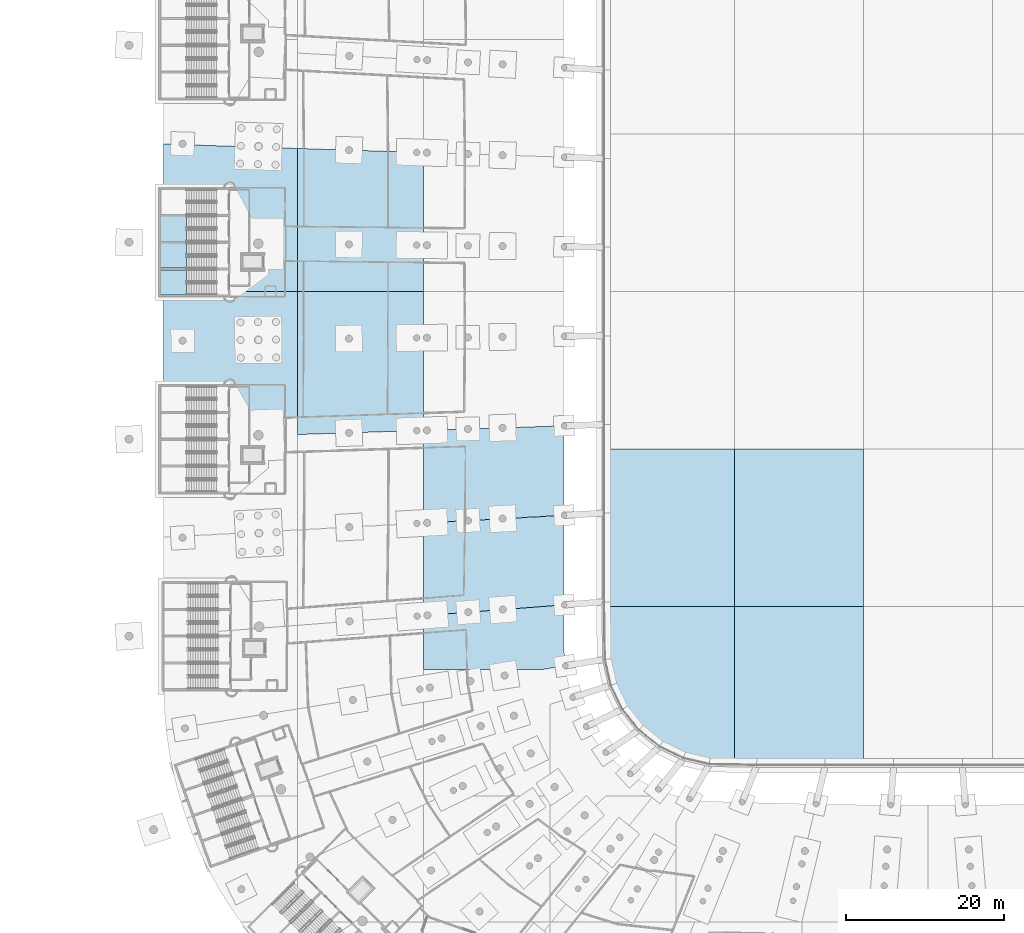
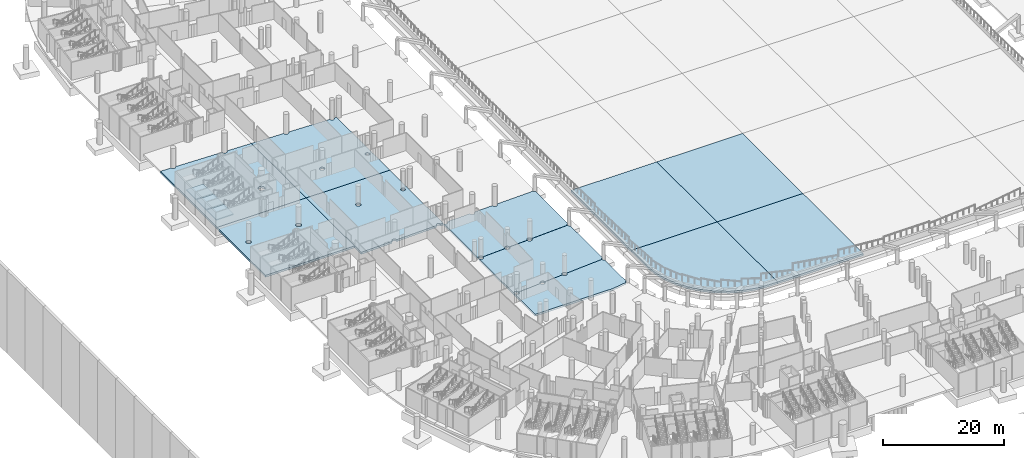
# One storey, part 18 of 142: 14 slabs, 3 elements without a shape of their own.
"""IFC4 building model written with IfcOpenShell, lengths in metres."""

from ifc_helpers import new_model, si_unit, direction, frame, origin, place, context, subcontext, project, spatial, polyline, outline, extrude, material, layer, layer_set, type_object, element, aggregate, save


model = new_model("IFC4")

# Units and contexts
model_context = context("Model", 3, precision=1e-05, world=origin(), true_north=direction((0.0, 1.0)))
body_context = subcontext(model_context, "Body", "Model", "MODEL_VIEW")
ifc_project = project(units=[si_unit("LENGTHUNIT", "METRE"), si_unit("AREAUNIT", "SQUARE_METRE"), si_unit("VOLUMEUNIT", "CUBIC_METRE"), si_unit("PLANEANGLEUNIT", "RADIAN"), si_unit("MASSUNIT", "GRAM", prefix="KILO")], contexts=[model_context])

# Site, building, storey
site_placement = place(None, origin())
site = spatial("IfcSite", under=ifc_project, at=site_placement, CompositionType="ELEMENT")
building_placement = place(site_placement, origin())
building = spatial("IfcBuilding", under=site, at=building_placement, Name="Meseta Stadium", CompositionType="ELEMENT")
storey_placement = place(building_placement, frame((0.0, 0.0, -4.0)))
storey = spatial("IfcBuildingStorey", under=building, at=storey_placement, Name="B1", CompositionType="ELEMENT", Elevation=-4.0)

# Slabs
ifc_material_1 = material(Name="Concrete C30/37", Category="concrete")
ifc_layer_1 = layer(ifc_material_1, 0.39990234375)
ifc_layer_set_1 = layer_set([ifc_layer_1], Name="Base slab 400")
slab_type_1 = type_object("IfcSlabType", Name="Base slab 400", PredefinedType="BASESLAB", material=ifc_layer_set_1)
slab_1_placement = place(storey_placement, frame((0.0, 0.0, -0.39990234375)))
element("IfcSlab", 1, at=slab_1_placement, inside=storey, type_object=slab_type_1, Name="Base slab B1 sector 28 panel 03", PredefinedType="BASESLAB", context=body_context, shape_type="SweptSolid", body=[
    extrude(outline(polyline([(-95.017822265625, 18.576904296875), (-95.040771484375, 18.652587890625), (-97.00048828125, 18.717041015625), (-97.0, 0.0), (-80.0, 0.0), (-80.0, 18.157958984375), (-84.482421875, 18.305419921875), (-84.5087890625, 18.218505859375), (-84.555419921875, 18.131591796875), (-84.617919921875, 18.055419921875), (-84.69384765625, 17.992919921875), (-84.78076171875, 17.946533203125), (-84.875, 17.91796875), (-84.97314453125, 17.908203125), (-85.071044921875, 17.91796875), (-85.165283203125, 17.946533203125), (-85.252197265625, 17.992919921875), (-85.328369140625, 18.055419921875), (-85.390869140625, 18.131591796875), (-85.437255859375, 18.218505859375), (-85.4658203125, 18.312744140625), (-85.46826171875, 18.337890625), (-94.16796875, 18.623779296875), (-94.18212890625, 18.576904296875), (-94.22412109375, 18.498779296875), (-94.2802734375, 18.430419921875), (-94.348876953125, 18.3740234375), (-94.427001953125, 18.332275390625), (-94.51171875, 18.306396484375), (-94.60009765625, 18.2978515625), (-94.688232421875, 18.306396484375), (-94.77294921875, 18.332275390625), (-94.851318359375, 18.3740234375), (-94.919677734375, 18.430419921875), (-94.97607421875, 18.498779296875), (-95.017822265625, 18.576904296875)]), holes=[polyline([(-85.33251953125, 5.580078125), (-85.423828125, 5.655029296875), (-85.498779296875, 5.746337890625), (-85.5546875, 5.8505859375), (-85.5888671875, 5.9638671875), (-85.6005859375, 6.081298828125), (-85.5888671875, 6.198974609375), (-85.5546875, 6.31201171875), (-85.498779296875, 6.416259765625), (-85.423828125, 6.5078125), (-85.33251953125, 6.582763671875), (-85.228271484375, 6.638427734375), (-85.115234375, 6.672607421875), (-84.99755859375, 6.684326171875), (-84.8798828125, 6.672607421875), (-84.766845703125, 6.638427734375), (-84.66259765625, 6.582763671875), (-84.5712890625, 6.5078125), (-84.496337890625, 6.416259765625), (-84.440673828125, 6.31201171875), (-84.40625, 6.198974609375), (-84.394775390625, 6.081298828125), (-84.40625, 5.9638671875), (-84.440673828125, 5.8505859375), (-84.496337890625, 5.746337890625), (-84.5712890625, 5.655029296875), (-84.66259765625, 5.580078125), (-84.766845703125, 5.5244140625), (-84.8798828125, 5.489990234375), (-84.99755859375, 5.478515625), (-85.115234375, 5.489990234375), (-85.228271484375, 5.5244140625), (-85.33251953125, 5.580078125)])]), origin(), (0.0, 0.0, 1.0), 0.39990234375),
])
slab_2_placement = place(storey_placement, frame((0.0, 0.0, -0.39990234375)))
element("IfcSlab", 2, at=slab_2_placement, inside=storey, type_object=slab_type_1, Name="Base slab B1 sector 28 panel 05", PredefinedType="BASESLAB", context=body_context, shape_type="SweptSolid", body=[
    extrude(outline(polyline([(-97.00048828125, -16.0), (-80.0, -16.0), (-80.0, 0.0), (-97.0, 0.0), (-97.00048828125, -16.0)]), holes=[polyline([(-95.04345703125, -6.338134765625), (-95.05224609375, -6.25), (-95.04345703125, -6.161865234375), (-95.017822265625, -6.076904296875), (-94.97607421875, -5.998779296875), (-94.919677734375, -5.930419921875), (-94.851318359375, -5.8740234375), (-94.77294921875, -5.832275390625), (-94.688232421875, -5.806396484375), (-94.60009765625, -5.7978515625), (-94.51171875, -5.806396484375), (-94.427001953125, -5.832275390625), (-94.348876953125, -5.8740234375), (-94.2802734375, -5.930419921875), (-94.22412109375, -5.998779296875), (-94.18212890625, -6.076904296875), (-94.156494140625, -6.161865234375), (-94.147705078125, -6.25), (-94.156494140625, -6.338134765625), (-94.18212890625, -6.423095703125), (-94.22412109375, -6.501220703125), (-94.2802734375, -6.569580078125), (-94.348876953125, -6.6259765625), (-94.427001953125, -6.667724609375), (-94.51171875, -6.693603515625), (-94.60009765625, -6.7021484375), (-94.688232421875, -6.693603515625), (-94.77294921875, -6.667724609375), (-94.851318359375, -6.6259765625), (-94.919677734375, -6.569580078125), (-94.97607421875, -6.501220703125), (-95.017822265625, -6.423095703125), (-95.04345703125, -6.338134765625)]), polyline([(-85.48974609375, -6.235107421875), (-85.49951171875, -6.13720703125), (-85.48974609375, -6.039306640625), (-85.461181640625, -5.94482421875), (-85.414794921875, -5.858154296875), (-85.352294921875, -5.781982421875), (-85.276123046875, -5.719482421875), (-85.189208984375, -5.673095703125), (-85.094970703125, -5.644287109375), (-84.9970703125, -5.634765625), (-84.89892578125, -5.644287109375), (-84.8046875, -5.673095703125), (-84.718017578125, -5.719482421875), (-84.6416015625, -5.781982421875), (-84.579345703125, -5.858154296875), (-84.53271484375, -5.94482421875), (-84.504150390625, -6.039306640625), (-84.49462890625, -6.13720703125), (-84.504150390625, -6.235107421875), (-84.53271484375, -6.32958984375), (-84.579345703125, -6.416259765625), (-84.6416015625, -6.492431640625), (-84.718017578125, -6.554931640625), (-84.8046875, -6.601318359375), (-84.89892578125, -6.6298828125), (-84.9970703125, -6.6396484375), (-85.094970703125, -6.6298828125), (-85.189208984375, -6.601318359375), (-85.276123046875, -6.554931640625), (-85.352294921875, -6.492431640625), (-85.414794921875, -6.416259765625), (-85.461181640625, -6.32958984375), (-85.48974609375, -6.235107421875)])]), origin(), (0.0, 0.0, 1.0), 0.39990234375),
])
slab_3_placement = place(storey_placement, frame((0.0, 0.0, -0.39990234375)))
element("IfcSlab", 3, at=slab_3_placement, inside=storey, type_object=slab_type_1, Name="Base slab B1 sector 28 panel 08", PredefinedType="BASESLAB", context=body_context, shape_type="SweptSolid", body=[
    extrude(outline(polyline([(-73.309326171875, -17.525634765625), (-73.231201171875, -17.5673828125), (-73.16259765625, -17.623779296875), (-73.1064453125, -17.6923828125), (-73.064697265625, -17.7705078125), (-73.038818359375, -17.855224609375), (-73.03173828125, -17.9287109375), (-65.28759765625, -17.673828125), (-65.2890625, -17.660888671875), (-65.28125, -17.582275390625), (-65.25830078125, -17.5068359375), (-65.22119140625, -17.4375), (-65.17138671875, -17.37646484375), (-65.1103515625, -17.32666015625), (-65.041015625, -17.289306640625), (-64.965576171875, -17.2666015625), (-64.88720703125, -17.2587890625), (-64.80859375, -17.2666015625), (-64.7333984375, -17.289306640625), (-64.663818359375, -17.32666015625), (-64.602783203125, -17.37646484375), (-64.552978515625, -17.4375), (-64.515625, -17.5068359375), (-64.492919921875, -17.582275390625), (-64.486328125, -17.647705078125), (-64.03857421875, -17.6328125), (-64.0400390625, -17.617919921875), (-64.03125, -17.52978515625), (-64.005615234375, -17.445068359375), (-64.0, -17.434814453125), (-64.0, -6.076416015625), (-64.016357421875, -6.0458984375), (-64.0419921875, -5.9609375), (-64.05078125, -5.872802734375), (-64.0419921875, -5.78466796875), (-64.016357421875, -5.69970703125), (-64.0, -5.669189453125), (-64.0, 0.0), (-80.0, 0.0), (-80.0, -18.157958984375), (-73.93310546875, -17.958251953125), (-73.9345703125, -17.943603515625), (-73.92578125, -17.855224609375), (-73.900146484375, -17.7705078125), (-73.8583984375, -17.6923828125), (-73.80224609375, -17.623779296875), (-73.733642578125, -17.5673828125), (-73.655517578125, -17.525634765625), (-73.570556640625, -17.5), (-73.482421875, -17.4912109375), (-73.394287109375, -17.5), (-73.309326171875, -17.525634765625)]), holes=[polyline([(-73.915771484375, -6.154296875), (-73.94140625, -6.069580078125), (-73.9501953125, -5.981201171875), (-73.94140625, -5.89306640625), (-73.915771484375, -5.808349609375), (-73.8740234375, -5.72998046875), (-73.81787109375, -5.66162109375), (-73.749267578125, -5.60546875), (-73.671142578125, -5.563720703125), (-73.586181640625, -5.537841796875), (-73.498046875, -5.529296875), (-73.409912109375, -5.537841796875), (-73.324951171875, -5.563720703125), (-73.246826171875, -5.60546875), (-73.17822265625, -5.66162109375), (-73.1220703125, -5.72998046875), (-73.080322265625, -5.808349609375), (-73.0546875, -5.89306640625), (-73.0458984375, -5.981201171875), (-73.0546875, -6.069580078125), (-73.080322265625, -6.154296875), (-73.1220703125, -6.232666015625), (-73.17822265625, -6.301025390625), (-73.246826171875, -6.357421875), (-73.324951171875, -6.399169921875), (-73.409912109375, -6.4248046875), (-73.498046875, -6.43359375), (-73.586181640625, -6.4248046875), (-73.671142578125, -6.399169921875), (-73.749267578125, -6.357421875), (-73.81787109375, -6.301025390625), (-73.8740234375, -6.232666015625), (-73.915771484375, -6.154296875)]), polyline([(-65.27001953125, -6.041015625), (-65.292724609375, -5.965576171875), (-65.300537109375, -5.886962890625), (-65.292724609375, -5.80859375), (-65.27001953125, -5.733154296875), (-65.23291015625, -5.663818359375), (-65.182861328125, -5.602783203125), (-65.121826171875, -5.552734375), (-65.052490234375, -5.515625), (-64.97705078125, -5.492919921875), (-64.898681640625, -5.485107421875), (-64.820068359375, -5.492919921875), (-64.74462890625, -5.515625), (-64.67529296875, -5.552734375), (-64.614501953125, -5.602783203125), (-64.564453125, -5.663818359375), (-64.527099609375, -5.733154296875), (-64.50439453125, -5.80859375), (-64.4970703125, -5.882568359375), (-64.50439453125, -5.965576171875), (-64.527099609375, -6.041015625), (-64.564453125, -6.1103515625), (-64.614501953125, -6.17138671875), (-64.67529296875, -6.22119140625), (-64.74462890625, -6.25830078125), (-64.820068359375, -6.28125), (-64.898681640625, -6.2890625), (-64.97705078125, -6.28125), (-65.052490234375, -6.25830078125), (-65.121826171875, -6.22119140625), (-65.182861328125, -6.17138671875), (-65.23291015625, -6.1103515625), (-65.27001953125, -6.041015625)])]), origin(), (0.0, 0.0, 1.0), 0.39990234375),
])
slab_4_placement = place(storey_placement, frame((0.0, 0.0, -0.39990234375)))
element("IfcSlab", 4, at=slab_4_placement, inside=storey, type_object=slab_type_1, Name="Base slab B1 sector 28 panel 09", PredefinedType="BASESLAB", context=body_context, shape_type="SweptSolid", body=[
    extrude(outline(polyline([(-64.016357421875, 6.0458984375), (-64.0, 6.076416015625), (-64.0, 17.434814453125), (-64.005615234375, 17.445068359375), (-64.03125, 17.52978515625), (-64.0400390625, 17.617919921875), (-64.03857421875, 17.6328125), (-64.486328125, 17.647705078125), (-64.492919921875, 17.582275390625), (-64.515625, 17.5068359375), (-64.552978515625, 17.4375), (-64.602783203125, 17.37646484375), (-64.663818359375, 17.32666015625), (-64.7333984375, 17.289306640625), (-64.80859375, 17.2666015625), (-64.88720703125, 17.2587890625), (-64.965576171875, 17.2666015625), (-65.041015625, 17.289306640625), (-65.1103515625, 17.32666015625), (-65.17138671875, 17.37646484375), (-65.22119140625, 17.4375), (-65.25830078125, 17.5068359375), (-65.28125, 17.582275390625), (-65.2890625, 17.660888671875), (-65.28759765625, 17.673828125), (-73.03173828125, 17.9287109375), (-73.038818359375, 17.855224609375), (-73.064697265625, 17.7705078125), (-73.1064453125, 17.6923828125), (-73.16259765625, 17.623779296875), (-73.231201171875, 17.5673828125), (-73.309326171875, 17.525634765625), (-73.394287109375, 17.5), (-73.482421875, 17.4912109375), (-73.570556640625, 17.5), (-73.655517578125, 17.525634765625), (-73.733642578125, 17.5673828125), (-73.80224609375, 17.623779296875), (-73.8583984375, 17.6923828125), (-73.900146484375, 17.7705078125), (-73.92578125, 17.855224609375), (-73.9345703125, 17.943603515625), (-73.93310546875, 17.958251953125), (-80.0, 18.157958984375), (-80.0, 0.0), (-64.0, 0.0), (-64.0, 5.669189453125), (-64.016357421875, 5.69970703125), (-64.0419921875, 5.78466796875), (-64.05078125, 5.872802734375), (-64.0419921875, 5.9609375), (-64.016357421875, 6.0458984375)]), holes=[polyline([(-64.527099609375, 6.041015625), (-64.50439453125, 5.965576171875), (-64.4970703125, 5.882568359375), (-64.50439453125, 5.80859375), (-64.527099609375, 5.733154296875), (-64.564453125, 5.663818359375), (-64.614501953125, 5.602783203125), (-64.67529296875, 5.552734375), (-64.74462890625, 5.515625), (-64.820068359375, 5.492919921875), (-64.898681640625, 5.485107421875), (-64.97705078125, 5.492919921875), (-65.052490234375, 5.515625), (-65.121826171875, 5.552734375), (-65.182861328125, 5.602783203125), (-65.23291015625, 5.663818359375), (-65.27001953125, 5.733154296875), (-65.292724609375, 5.80859375), (-65.300537109375, 5.886962890625), (-65.292724609375, 5.965576171875), (-65.27001953125, 6.041015625), (-65.23291015625, 6.1103515625), (-65.182861328125, 6.17138671875), (-65.121826171875, 6.22119140625), (-65.052490234375, 6.25830078125), (-64.97705078125, 6.28125), (-64.898681640625, 6.2890625), (-64.820068359375, 6.28125), (-64.74462890625, 6.25830078125), (-64.67529296875, 6.22119140625), (-64.614501953125, 6.17138671875), (-64.564453125, 6.1103515625), (-64.527099609375, 6.041015625)]), polyline([(-73.0546875, 6.069580078125), (-73.0458984375, 5.981201171875), (-73.0546875, 5.89306640625), (-73.080322265625, 5.808349609375), (-73.1220703125, 5.72998046875), (-73.17822265625, 5.66162109375), (-73.246826171875, 5.60546875), (-73.324951171875, 5.563720703125), (-73.409912109375, 5.537841796875), (-73.498046875, 5.529296875), (-73.586181640625, 5.537841796875), (-73.671142578125, 5.563720703125), (-73.749267578125, 5.60546875), (-73.81787109375, 5.66162109375), (-73.8740234375, 5.72998046875), (-73.915771484375, 5.808349609375), (-73.94140625, 5.89306640625), (-73.9501953125, 5.981201171875), (-73.94140625, 6.069580078125), (-73.915771484375, 6.154296875), (-73.8740234375, 6.232666015625), (-73.81787109375, 6.301025390625), (-73.749267578125, 6.357421875), (-73.671142578125, 6.399169921875), (-73.586181640625, 6.4248046875), (-73.498046875, 6.43359375), (-73.409912109375, 6.4248046875), (-73.324951171875, 6.399169921875), (-73.246826171875, 6.357421875), (-73.17822265625, 6.301025390625), (-73.1220703125, 6.232666015625), (-73.080322265625, 6.154296875), (-73.0546875, 6.069580078125)])]), origin(), (0.0, 0.0, 1.0), 0.39990234375),
])
slab_5_placement = place(storey_placement, frame((0.0, 0.0, -0.39990234375)))
element("IfcSlab", 5, at=slab_5_placement, inside=storey, type_object=slab_type_1, Name="Base slab B1 sector 28 panel 16", PredefinedType="BASESLAB", context=body_context, shape_type="SweptSolid", body=[
    extrude(outline(polyline([(-53.6044921875, -28.58544921875), (-53.562744140625, -28.66357421875), (-53.537109375, -28.748291015625), (-53.53173828125, -28.802001953125), (-46.54296875, -28.4189453125), (-46.5439453125, -28.40966796875), (-46.537109375, -28.341064453125), (-46.51708984375, -28.275146484375), (-46.484619140625, -28.21435546875), (-46.44091796875, -28.160888671875), (-46.3876953125, -28.1171875), (-46.326904296875, -28.084716796875), (-46.2607421875, -28.064697265625), (-46.1923828125, -28.05810546875), (-46.197021484375, -17.397705078125), (-46.265869140625, -17.390869140625), (-46.331787109375, -17.370849609375), (-46.392578125, -17.33837890625), (-46.44580078125, -17.294677734375), (-46.489501953125, -17.241455078125), (-46.522216796875, -17.180419921875), (-46.5419921875, -17.114501953125), (-46.5478515625, -17.0576171875), (-53.542236328125, -17.28759765625), (-53.540771484375, -17.302490234375), (-53.549560546875, -17.390625), (-53.5751953125, -17.475341796875), (-53.616943359375, -17.5537109375), (-53.673095703125, -17.6220703125), (-53.74169921875, -17.678466796875), (-53.81982421875, -17.72021484375), (-53.90478515625, -17.745849609375), (-53.992919921875, -17.754638671875), (-54.081298828125, -17.745849609375), (-54.166015625, -17.72021484375), (-54.244140625, -17.678466796875), (-54.312744140625, -17.6220703125), (-54.368896484375, -17.5537109375), (-54.41064453125, -17.475341796875), (-54.4365234375, -17.390625), (-54.443603515625, -17.317138671875), (-57.93994140625, -17.43212890625), (-57.9384765625, -17.447021484375), (-57.947021484375, -17.535400390625), (-57.972900390625, -17.6201171875), (-58.0146484375, -17.6982421875), (-58.07080078125, -17.766845703125), (-58.139404296875, -17.822998046875), (-58.217529296875, -17.86474609375), (-58.302490234375, -17.890380859375), (-58.390625, -17.899169921875), (-58.478759765625, -17.890380859375), (-58.563720703125, -17.86474609375), (-58.641845703125, -17.822998046875), (-58.710205078125, -17.766845703125), (-58.7666015625, -17.6982421875), (-58.808349609375, -17.6201171875), (-58.833984375, -17.535400390625), (-58.84130859375, -17.4619140625), (-63.13720703125, -17.603271484375), (-63.135498046875, -17.617919921875), (-63.144287109375, -17.706298828125), (-63.169921875, -17.791015625), (-63.2119140625, -17.869140625), (-63.26806640625, -17.937744140625), (-63.336669921875, -17.993896484375), (-63.414794921875, -18.035888671875), (-63.49951171875, -18.0615234375), (-63.587890625, -18.0703125), (-63.676025390625, -18.0615234375), (-63.7607421875, -18.035888671875), (-63.839111328125, -17.993896484375), (-63.907470703125, -17.937744140625), (-63.9638671875, -17.869140625), (-64.0, -17.801513671875), (-64.0, -29.2421875), (-63.98388671875, -29.189208984375), (-63.942138671875, -29.111083984375), (-63.8857421875, -29.04248046875), (-63.8173828125, -28.986083984375), (-63.7392578125, -28.9443359375), (-63.654296875, -28.918701171875), (-63.566162109375, -28.909912109375), (-63.477783203125, -28.918701171875), (-63.39306640625, -28.9443359375), (-63.31494140625, -28.986083984375), (-63.246337890625, -29.04248046875), (-63.190185546875, -29.111083984375), (-63.1484375, -29.189208984375), (-63.12255859375, -29.27392578125), (-63.1171875, -29.32763671875), (-58.82470703125, -29.09228515625), (-58.826171875, -29.077392578125), (-58.8173828125, -28.9892578125), (-58.791748046875, -28.904541015625), (-58.75, -28.826416015625), (-58.693603515625, -28.7578125), (-58.625, -28.701416015625), (-58.546875, -28.659912109375), (-58.462158203125, -28.634033203125), (-58.373779296875, -28.625244140625), (-58.28564453125, -28.634033203125), (-58.200927734375, -28.659912109375), (-58.122802734375, -28.701416015625), (-58.05419921875, -28.7578125), (-57.997802734375, -28.826416015625), (-57.956298828125, -28.904541015625), (-57.930419921875, -28.9892578125), (-57.925048828125, -29.04296875), (-54.43115234375, -28.851318359375), (-54.4326171875, -28.836669921875), (-54.424072265625, -28.748291015625), (-54.398193359375, -28.66357421875), (-54.3564453125, -28.58544921875), (-54.30029296875, -28.516845703125), (-54.231689453125, -28.460693359375), (-54.153564453125, -28.4189453125), (-54.068603515625, -28.393310546875), (-53.98046875, -28.384521484375), (-53.892333984375, -28.393310546875), (-53.8076171875, -28.4189453125), (-53.729248046875, -28.460693359375), (-53.660888671875, -28.516845703125), (-53.6044921875, -28.58544921875)])), origin(), (0.0, 0.0, 1.0), 0.39990234375),
])
slab_6_placement = place(storey_placement, frame((0.0, 0.0, -0.39990234375)))
element("IfcSlab", 6, at=slab_6_placement, inside=storey, type_object=slab_type_1, Name="Base slab B1 sector 35 panel 15", PredefinedType="BASESLAB", context=body_context, shape_type="SweptSolid", body=[
    extrude(outline(polyline([(-63.53369140625, -40.65234375), (-63.445556640625, -40.6611328125), (-63.360595703125, -40.686767578125), (-63.282470703125, -40.728515625), (-63.214111328125, -40.784912109375), (-63.15771484375, -40.853271484375), (-63.115966796875, -40.931396484375), (-63.090087890625, -41.016357421875), (-63.0849609375, -41.070068359375), (-58.797607421875, -40.7412109375), (-58.801025390625, -40.70654296875), (-58.79248046875, -40.618408203125), (-58.7666015625, -40.53369140625), (-58.724853515625, -40.455322265625), (-58.668701171875, -40.386962890625), (-58.60009765625, -40.33056640625), (-58.52197265625, -40.288818359375), (-58.437255859375, -40.26318359375), (-58.34912109375, -40.25439453125), (-58.2607421875, -40.26318359375), (-58.17578125, -40.288818359375), (-58.097900390625, -40.33056640625), (-58.029296875, -40.386962890625), (-57.972900390625, -40.455322265625), (-57.93115234375, -40.53369140625), (-57.905517578125, -40.618408203125), (-57.900146484375, -40.672119140625), (-54.41064453125, -40.404296875), (-54.4140625, -40.369873046875), (-54.405517578125, -40.28173828125), (-54.379638671875, -40.19677734375), (-54.337890625, -40.11865234375), (-54.281494140625, -40.050048828125), (-54.213134765625, -39.993896484375), (-54.135009765625, -39.9521484375), (-54.050048828125, -39.926513671875), (-53.9619140625, -39.917724609375), (-53.873779296875, -39.926513671875), (-53.788818359375, -39.9521484375), (-53.710693359375, -39.993896484375), (-53.64208984375, -40.050048828125), (-53.5859375, -40.11865234375), (-53.544189453125, -40.19677734375), (-53.518310546875, -40.28173828125), (-53.51318359375, -40.33544921875), (-46.53369140625, -39.7998046875), (-46.536376953125, -39.77294921875), (-46.52978515625, -39.704345703125), (-46.509765625, -39.638427734375), (-46.477294921875, -39.57763671875), (-46.433349609375, -39.5244140625), (-46.380126953125, -39.48046875), (-46.3193359375, -39.447998046875), (-46.25341796875, -39.427978515625), (-46.18505859375, -39.42138671875), (-46.19189453125, -28.76123046875), (-46.2607421875, -28.754638671875), (-46.326904296875, -28.734619140625), (-46.3876953125, -28.7021484375), (-46.44091796875, -28.658203125), (-46.484619140625, -28.60498046875), (-46.51708984375, -28.544189453125), (-46.537109375, -28.478271484375), (-46.541015625, -28.438720703125), (-53.52978515625, -28.822021484375), (-53.5283203125, -28.836669921875), (-53.537109375, -28.9248046875), (-53.562744140625, -29.009765625), (-53.6044921875, -29.087890625), (-53.660888671875, -29.156494140625), (-53.729248046875, -29.212646484375), (-53.8076171875, -29.25439453125), (-53.892333984375, -29.280029296875), (-53.98046875, -29.288818359375), (-54.068603515625, -29.280029296875), (-54.153564453125, -29.25439453125), (-54.231689453125, -29.212646484375), (-54.30029296875, -29.156494140625), (-54.3564453125, -29.087890625), (-54.398193359375, -29.009765625), (-54.424072265625, -28.9248046875), (-54.42919921875, -28.871337890625), (-57.923095703125, -29.062744140625), (-57.921630859375, -29.077392578125), (-57.930419921875, -29.165771484375), (-57.956298828125, -29.25048828125), (-57.997802734375, -29.32861328125), (-58.05419921875, -29.397216796875), (-58.122802734375, -29.45361328125), (-58.200927734375, -29.495361328125), (-58.28564453125, -29.52099609375), (-58.373779296875, -29.52978515625), (-58.462158203125, -29.52099609375), (-58.546875, -29.495361328125), (-58.625, -29.45361328125), (-58.693603515625, -29.397216796875), (-58.75, -29.32861328125), (-58.791748046875, -29.25048828125), (-58.8173828125, -29.165771484375), (-58.82275390625, -29.112060546875), (-63.115478515625, -29.347412109375), (-63.114013671875, -29.3623046875), (-63.12255859375, -29.450439453125), (-63.1484375, -29.53515625), (-63.190185546875, -29.61328125), (-63.246337890625, -29.681884765625), (-63.31494140625, -29.738037109375), (-63.39306640625, -29.77978515625), (-63.477783203125, -29.8056640625), (-63.566162109375, -29.814453125), (-63.654296875, -29.8056640625), (-63.7392578125, -29.77978515625), (-63.8173828125, -29.738037109375), (-63.8857421875, -29.681884765625), (-63.942138671875, -29.61328125), (-63.98388671875, -29.53515625), (-64.0, -29.482177734375), (-64.0, -41.140380859375), (-63.982421875, -41.138916015625), (-63.98583984375, -41.1044921875), (-63.977294921875, -41.016357421875), (-63.951416015625, -40.931396484375), (-63.90966796875, -40.853271484375), (-63.853515625, -40.784912109375), (-63.784912109375, -40.728515625), (-63.706787109375, -40.686767578125), (-63.621826171875, -40.6611328125), (-63.53369140625, -40.65234375)])), origin(), (0.0, 0.0, 1.0), 0.39990234375),
])
slab_7_placement = place(storey_placement, frame((0.0, 0.0, -0.39990234375)))
element("IfcSlab", 7, at=slab_7_placement, inside=storey, type_object=slab_type_1, Name="Base slab B1 sector 35 panel 16", PredefinedType="BASESLAB", context=body_context, shape_type="SweptSolid", body=[
    extrude(outline(polyline([(-63.853515625, -41.42431640625), (-63.90966796875, -41.355712890625), (-63.951416015625, -41.277587890625), (-63.977294921875, -41.19287109375), (-63.982421875, -41.138916015625), (-64.0, -41.140380859375), (-64.0, -48.0), (-49.10498046875, -48.0), (-46.3857421875, -47.56201171875), (-46.39111328125, -47.50634765625), (-46.384521484375, -47.437744140625), (-46.364501953125, -47.37158203125), (-46.331787109375, -47.310791015625), (-46.2880859375, -47.257568359375), (-46.23486328125, -47.2138671875), (-46.174072265625, -47.181396484375), (-46.108154296875, -47.161376953125), (-46.07568359375, -47.158203125), (-46.1103515625, -46.82421875), (-46.1572265625, -46.139892578125), (-46.18017578125, -45.454345703125), (-46.1845703125, -40.12451171875), (-46.25341796875, -40.117919921875), (-46.3193359375, -40.097900390625), (-46.380126953125, -40.0654296875), (-46.433349609375, -40.021484375), (-46.477294921875, -39.96826171875), (-46.509765625, -39.907470703125), (-46.52978515625, -39.841552734375), (-46.53369140625, -39.7998046875), (-53.51318359375, -40.33544921875), (-53.509765625, -40.369873046875), (-53.518310546875, -40.4580078125), (-53.544189453125, -40.54296875), (-53.5859375, -40.62109375), (-53.64208984375, -40.689697265625), (-53.710693359375, -40.745849609375), (-53.788818359375, -40.78759765625), (-53.873779296875, -40.8134765625), (-53.9619140625, -40.822021484375), (-54.050048828125, -40.8134765625), (-54.135009765625, -40.78759765625), (-54.213134765625, -40.745849609375), (-54.281494140625, -40.689697265625), (-54.337890625, -40.62109375), (-54.379638671875, -40.54296875), (-54.405517578125, -40.4580078125), (-54.41064453125, -40.404296875), (-57.900146484375, -40.672119140625), (-57.896728515625, -40.70654296875), (-57.905517578125, -40.794921875), (-57.93115234375, -40.879638671875), (-57.972900390625, -40.957763671875), (-58.029296875, -41.0263671875), (-58.097900390625, -41.08251953125), (-58.17578125, -41.12451171875), (-58.2607421875, -41.150146484375), (-58.34912109375, -41.15869140625), (-58.437255859375, -41.150146484375), (-58.52197265625, -41.12451171875), (-58.60009765625, -41.08251953125), (-58.668701171875, -41.0263671875), (-58.724853515625, -40.957763671875), (-58.7666015625, -40.879638671875), (-58.79248046875, -40.794921875), (-58.797607421875, -40.7412109375), (-63.0849609375, -41.070068359375), (-63.08154296875, -41.1044921875), (-63.090087890625, -41.19287109375), (-63.115966796875, -41.277587890625), (-63.15771484375, -41.355712890625), (-63.214111328125, -41.42431640625), (-63.282470703125, -41.48046875), (-63.360595703125, -41.522216796875), (-63.445556640625, -41.548095703125), (-63.53369140625, -41.556640625), (-63.621826171875, -41.548095703125), (-63.706787109375, -41.522216796875), (-63.784912109375, -41.48046875), (-63.853515625, -41.42431640625)])), origin(), (0.0, 0.0, 1.0), 0.39990234375),
])
ifc_material_2 = material(Name="Natural turf on sand and drainage layers")
ifc_layer_2 = layer(ifc_material_2, 0.39990234375)
ifc_layer_set_2 = layer_set([ifc_layer_2], Name="Pitch turf 400")
slab_type_2 = type_object("IfcSlabType", Name="Pitch turf 400", PredefinedType="BASESLAB", material=ifc_layer_set_2)
slab_8_placement = place(storey_placement, frame((0.0, 0.0, -0.39990234375)))
element("IfcSlab", 8, at=slab_8_placement, inside=storey, type_object=slab_type_2, Name="Playing pitch module 01", PredefinedType="BASESLAB", context=body_context, shape_type="SweptSolid", body=[
    extrude(outline(polyline([(-24.587890625, -59.97998046875), (-8.196044921875, -59.97998046875), (-8.196044921875, -39.98681640625), (-24.587890625, -39.98681640625), (-24.587890625, -59.97998046875)])), origin(), (0.0, 0.0, 1.0), 0.39990234375),
])
slab_9_placement = place(storey_placement, frame((0.0, 0.0, -0.39990234375)))
element("IfcSlab", 9, at=slab_9_placement, inside=storey, type_object=slab_type_2, Name="Playing pitch module 04", PredefinedType="BASESLAB", context=body_context, shape_type="SweptSolid", body=[
    extrude(outline(polyline([(-40.97998046875, -39.98681640625), (-40.97998046875, -44.999267578125), (-40.79541015625, -47.343505859375), (-40.246826171875, -49.629150390625), (-39.34716796875, -51.80078125), (-38.118896484375, -53.804931640625), (-36.59228515625, -55.59228515625), (-34.804931640625, -57.118896484375), (-32.80078125, -58.34716796875), (-30.629150390625, -59.246826171875), (-28.343505859375, -59.79541015625), (-25.999267578125, -59.97998046875), (-24.587890625, -59.97998046875), (-24.587890625, -39.98681640625), (-40.97998046875, -39.98681640625)])), origin(), (0.0, 0.0, 1.0), 0.39990234375),
])
slab_10_placement = place(storey_placement, frame((0.0, 0.0, -0.39990234375)))
element("IfcSlab", 10, at=slab_10_placement, inside=storey, type_object=slab_type_2, Name="Playing pitch module 06", PredefinedType="BASESLAB", context=body_context, shape_type="SweptSolid", body=[
    extrude(outline(polyline([(-40.97998046875, -19.993408203125), (-40.97998046875, -39.98681640625), (-24.587890625, -39.98681640625), (-24.587890625, -19.993408203125), (-40.97998046875, -19.993408203125)])), origin(), (0.0, 0.0, 1.0), 0.39990234375),
])
slab_11_placement = place(storey_placement, frame((0.0, 0.0, -0.39990234375)))
element("IfcSlab", 11, at=slab_11_placement, inside=storey, type_object=slab_type_2, Name="Playing pitch module 07", PredefinedType="BASESLAB", context=body_context, shape_type="SweptSolid", body=[
    extrude(outline(polyline([(-8.196044921875, -39.98681640625), (-8.196044921875, -19.993408203125), (-24.587890625, -19.993408203125), (-24.587890625, -39.98681640625), (-8.196044921875, -39.98681640625)])), origin(), (0.0, 0.0, 1.0), 0.39990234375),
])

# Stair, slab
ifc_material_3 = material(Name="Concrete C40/50", Category="concrete")
stair_type = type_object("IfcStairType", Name="Exit stair 2 flights 154 mm risers", PredefinedType="HALF_TURN_STAIR", material=ifc_material_3)
stair_1_placement = place(storey_placement, origin())
stair_1 = element("IfcStair", 12, at=stair_1_placement, inside=storey, type_object=stair_type, Name="ST66 B1", PredefinedType="HALF_TURN_STAIR")
ifc_material_4 = material(Name="Concrete C40/50", Category="concrete")
ifc_layer_3 = layer(ifc_material_4, 0.199951171875)
ifc_layer_set_3 = layer_set([ifc_layer_3], Name="Stair landing 200")
slab_type_3 = type_object("IfcSlabType", Name="Stair landing 200", PredefinedType="LANDING", material=ifc_layer_set_3)
slab_12_placement = place(storey_placement, frame((0.0, 0.0, 1.800048828125)))
slab_12 = element("IfcSlab", 13, at=slab_12_placement, type_object=slab_type_3, Name="ST66 B1 landing 1", PredefinedType="LANDING", context=body_context, shape_type="SweptSolid", body=[
    extrude(outline(polyline([(-94.1298828125, 9.550048828125), (-97.39990234375, 9.550048828125), (-97.39990234375, 6.35009765625), (-94.1298828125, 6.35009765625), (-94.1298828125, 9.550048828125)])), origin(), (0.0, 0.0, 1.0), 0.199951171875),
])
aggregate(stair_1, [slab_12])

stair_2_placement = place(storey_placement, origin())
stair_2 = element("IfcStair", 14, at=stair_2_placement, inside=storey, type_object=stair_type, Name="ST67 B1", PredefinedType="HALF_TURN_STAIR")
slab_13_placement = place(storey_placement, frame((0.0, 0.0, 1.800048828125)))
slab_13 = element("IfcSlab", 15, at=slab_13_placement, type_object=slab_type_3, Name="ST67 B1 landing 1", PredefinedType="LANDING", context=body_context, shape_type="SweptSolid", body=[
    extrude(outline(polyline([(-94.1298828125, 6.14990234375), (-97.39990234375, 6.14990234375), (-97.39990234375, 2.949951171875), (-94.1298828125, 2.949951171875), (-94.1298828125, 6.14990234375)])), origin(), (0.0, 0.0, 1.0), 0.199951171875),
])
aggregate(stair_2, [slab_13])

stair_3_placement = place(storey_placement, origin())
stair_3 = element("IfcStair", 16, at=stair_3_placement, inside=storey, type_object=stair_type, Name="ST68 B1", PredefinedType="HALF_TURN_STAIR")
slab_14_placement = place(storey_placement, frame((0.0, 0.0, 1.800048828125)))
slab_14 = element("IfcSlab", 17, at=slab_14_placement, type_object=slab_type_3, Name="ST68 B1 landing 1", PredefinedType="LANDING", context=body_context, shape_type="SweptSolid", body=[
    extrude(outline(polyline([(-94.1298828125, 2.75), (-97.39990234375, 2.75), (-97.39990234375, -0.449951171875), (-94.1298828125, -0.449951171875), (-94.1298828125, 2.75)])), origin(), (0.0, 0.0, 1.0), 0.199951171875),
])
aggregate(stair_3, [slab_14])

save(model, "model.ifc")
